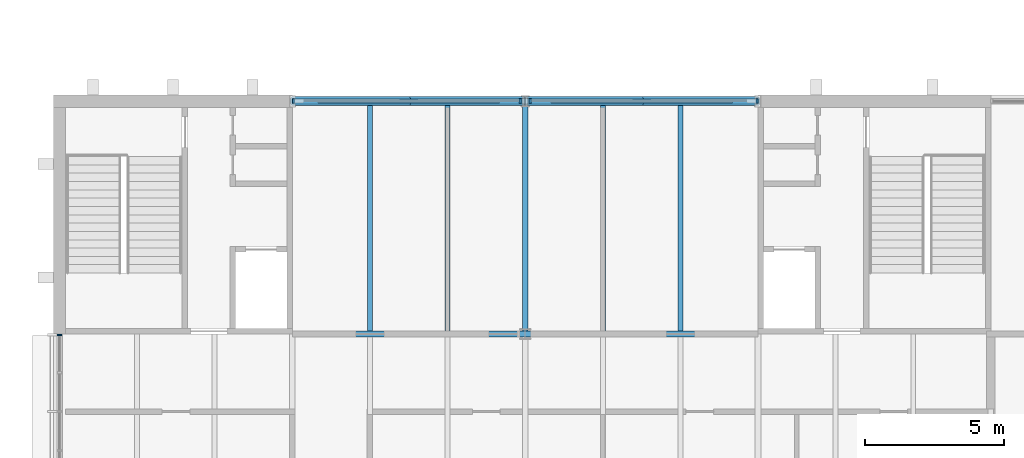
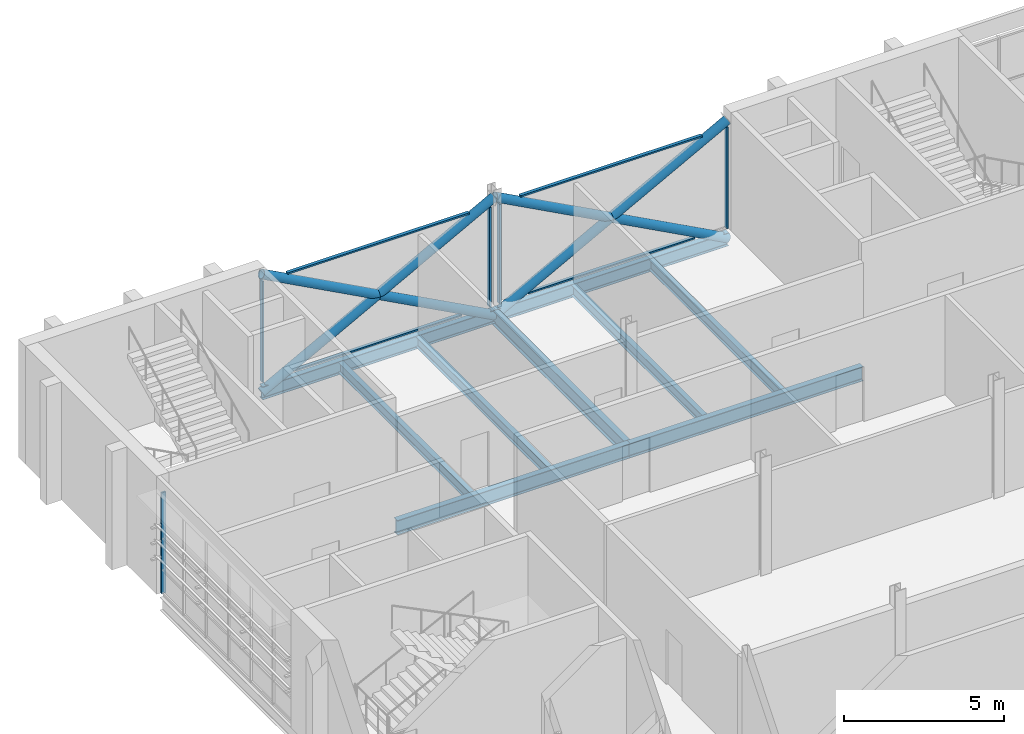
# One storey, part 47 of 129: 15 members, 9 beams, 3 elements without a shape of their own.
"""IFC4 building model written with IfcOpenShell, lengths in metres."""

from ifc_helpers import new_model, si_unit, direction, frame, origin, origin_2d, place, context, subcontext, project, spatial, rectangle, hollow_circle, i_section, extrude, material, layer, layer_set, material_profile, profile_set, type_object, element, aggregate, save


model = new_model("IFC4")

# Units and contexts
model_context = context("Model", 3, precision=1e-05, world=origin(), true_north=direction((0.0, 1.0)))
body_context = subcontext(model_context, "Body", "Model", "MODEL_VIEW")
ifc_project = project(units=[si_unit("LENGTHUNIT", "METRE"), si_unit("AREAUNIT", "SQUARE_METRE"), si_unit("VOLUMEUNIT", "CUBIC_METRE"), si_unit("PLANEANGLEUNIT", "RADIAN"), si_unit("MASSUNIT", "GRAM", prefix="KILO")], contexts=[model_context])

# Site, building, storey
site_placement = place(None, origin())
site = spatial("IfcSite", under=ifc_project, at=site_placement, CompositionType="ELEMENT")
building_placement = place(site_placement, origin())
building = spatial("IfcBuilding", under=site, at=building_placement, Name="Ardhachandra Cancer Care Centre", CompositionType="ELEMENT")
storey_placement = place(building_placement, frame((0.0, 0.0, 4.5)))
storey = spatial("IfcBuildingStorey", under=building, at=storey_placement, Name="L01", CompositionType="ELEMENT", Elevation=4.5)

# Beams
ifc_material_1 = material(Name="Steel E350 (IS 2062)", Category="steel")
ifc_material_profile_1 = material_profile(ifc_material_1, i_section(OverallWidth=0.179931640625, OverallDepth=0.39990234375, WebThickness=0.008544921875, FlangeThickness=0.013427734375, FilletRadius=0.02099609375, at=origin_2d()), Name="NPB 400x180x66.30")
ifc_profile_set_1 = profile_set([ifc_material_profile_1], Name="Steel E350 (IS 2062)")
beam_type_1 = type_object("IfcBeamType", Name="Beam NPB 400x180x66.30", PredefinedType="BEAM", material=ifc_profile_set_1)
for number, where, z_axis, x_axis, name in (
    (1, (22.0, 88.304931640625, -0.35009765625), (0.0, 1.0, 0.0), (-1.0, 0.0, 0.0), "Secondary K2-L2@2800"),
    (2, (24.800048828125, 88.304931640625, -0.35009765625), (0.0, 1.0, 0.0), (-1.0, 0.0, 0.0), "Secondary K2-L2@5600"),
    (3, (30.39990234375, 88.304931640625, -0.35009765625), (0.0, 1.0, 0.0), (-1.0, 0.0, 0.0), "Secondary K3-L3@2800"),
    (4, (33.199951171875, 88.304931640625, -0.35009765625), (0.0, 1.0, 0.0), (-1.0, 0.0, 0.0), "Secondary K3-L3@5600"),
):
    element("IfcBeam", number, at=place(storey_placement, frame(where, z_axis=z_axis, x_axis=x_axis)), inside=storey, type_object=beam_type_1, Name=name, PredefinedType="BEAM", context=body_context, shape_type="SweptSolid", body=[
        extrude(i_section(OverallWidth=0.179931640625, OverallDepth=0.39990234375, WebThickness=0.008544921875, FlangeThickness=0.013427734375, FilletRadius=0.02099609375, at=origin_2d()), origin(), (0.0, 0.0, 1.0), 8.195068359375),
    ])
ifc_material_2 = material(Name="Steel E350 (IS 2062)", Category="steel")
ifc_material_profile_2 = material_profile(ifc_material_2, i_section(OverallWidth=0.199951171875, OverallDepth=0.5, WebThickness=0.01025390625, FlangeThickness=0.01611328125, FilletRadius=0.02099609375, at=origin_2d()), Name="NPB 500x200x90.68")
ifc_profile_set_2 = profile_set([ifc_material_profile_2], Name="Steel E350 (IS 2062)")
beam_type_2 = type_object("IfcBeamType", Name="Beam NPB 500x200x90.68", PredefinedType="BEAM", material=ifc_profile_set_2)
beam_1_placement = place(storey_placement, frame((19.199951171875, 96.60009765625, -0.39990234375), z_axis=(1.0, 0.0, 0.0), x_axis=(0.0, 1.0, 0.0)))
element("IfcBeam", 5, at=beam_1_placement, inside=storey, type_object=beam_type_2, Name="Edge girder L2-L3", PredefinedType="BEAM", context=body_context, shape_type="SweptSolid", body=[
    extrude(i_section(OverallWidth=0.199951171875, OverallDepth=0.5, WebThickness=0.01025390625, FlangeThickness=0.01611328125, FilletRadius=0.02099609375, at=origin_2d()), origin(), (0.0, 0.0, 1.0), 8.400146484375),
])
beam_2_placement = place(storey_placement, frame((27.60009765625, 96.60009765625, -0.39990234375), z_axis=(1.0, 0.0, 0.0), x_axis=(0.0, 1.0, 0.0)))
element("IfcBeam", 6, at=beam_2_placement, inside=storey, type_object=beam_type_2, Name="Edge girder L3-L4", PredefinedType="BEAM", context=body_context, shape_type="SweptSolid", body=[
    extrude(i_section(OverallWidth=0.199951171875, OverallDepth=0.5, WebThickness=0.01025390625, FlangeThickness=0.01611328125, FilletRadius=0.02099609375, at=origin_2d()), origin(), (0.0, 0.0, 1.0), 8.39990234375),
])
ifc_material_3 = material(Name="Steel E350 (IS 2062)", Category="steel")
ifc_material_profile_3 = material_profile(ifc_material_3, i_section(OverallWidth=0.2099609375, OverallDepth=0.550048828125, WebThickness=0.010986328125, FlangeThickness=0.01708984375, FilletRadius=0.02392578125, at=origin_2d()), Name="NPB 550x210x105.52")
ifc_profile_set_3 = profile_set([ifc_material_profile_3], Name="Steel E350 (IS 2062)")
beam_type_3 = type_object("IfcBeamType", Name="Beam NPB 550x210x105.52", PredefinedType="BEAM", material=ifc_profile_set_3)
beam_3_placement = place(storey_placement, frame((19.199951171875, 88.199951171875, -0.425048828125), z_axis=(1.0, 0.0, 0.0), x_axis=(0.0, 1.0, 0.0)))
element("IfcBeam", 7, at=beam_3_placement, inside=storey, type_object=beam_type_3, Name="Girder K2-K3", PredefinedType="BEAM", context=body_context, shape_type="SweptSolid", body=[
    extrude(i_section(OverallWidth=0.2099609375, OverallDepth=0.550048828125, WebThickness=0.010986328125, FlangeThickness=0.01708984375, FilletRadius=0.02392578125, at=origin_2d()), origin(), (0.0, 0.0, 1.0), 8.400146484375),
])
beam_4_placement = place(storey_placement, frame((27.60009765625, 88.199951171875, -0.425048828125), z_axis=(1.0, 0.0, 0.0), x_axis=(0.0, 1.0, 0.0)))
element("IfcBeam", 8, at=beam_4_placement, inside=storey, type_object=beam_type_3, Name="Girder K3-K4", PredefinedType="BEAM", context=body_context, shape_type="SweptSolid", body=[
    extrude(i_section(OverallWidth=0.2099609375, OverallDepth=0.550048828125, WebThickness=0.010986328125, FlangeThickness=0.01708984375, FilletRadius=0.02392578125, at=origin_2d()), origin(), (0.0, 0.0, 1.0), 8.39990234375),
])
beam_5_placement = place(storey_placement, frame((27.60009765625, 88.199951171875, -0.425048828125), z_axis=(0.0, 1.0, 0.0), x_axis=(-1.0, 0.0, 0.0)))
element("IfcBeam", 9, at=beam_5_placement, inside=storey, type_object=beam_type_3, Name="Girder K3-L3", PredefinedType="BEAM", context=body_context, shape_type="SweptSolid", body=[
    extrude(i_section(OverallWidth=0.2099609375, OverallDepth=0.550048828125, WebThickness=0.010986328125, FlangeThickness=0.01708984375, FilletRadius=0.02392578125, at=origin_2d()), origin(), (0.0, 0.0, 1.0), 8.400146484375),
])

# Members
ifc_material_4 = material(Name="Steel E350 (IS 2062)", Category="steel")
ifc_material_profile_4 = material_profile(ifc_material_4, hollow_circle(Radius=0.161865234375, WallThickness=0.012451171875, at=origin_2d()), Name="CHS 323.9x12.5")
ifc_profile_set_4 = profile_set([ifc_material_profile_4], Name="Steel E350 (IS 2062)")
member_type_1 = type_object("IfcMemberType", Name="Brace CHS 323.9x12.5", PredefinedType="BRACE", material=ifc_profile_set_4)
member_1_placement = place(storey_placement, frame((19.199951171875, 96.60009765625, -0.39990234375), z_axis=(0.881483397762, 0.0, 0.472215014025), x_axis=(0.0, 1.0, 0.0)))
element("IfcMember", 10, at=member_1_placement, inside=storey, type_object=member_type_1, Name="Brace V6-X966-192 L01 A", PredefinedType="BRACE", context=body_context, shape_type="SweptSolid", body=[
    extrude(hollow_circle(Radius=0.161865234375, WallThickness=0.012451171875, at=origin_2d()), origin(), (0.0, 0.0, 1.0), 9.529541015625),
])
member_2_placement = place(storey_placement, frame((27.60009765625, 96.60009765625, -0.39990234375), z_axis=(-0.881489110341, 0.0, 0.472204350203), x_axis=(0.0, -1.0, 0.0)))
element("IfcMember", 11, at=member_2_placement, inside=storey, type_object=member_type_1, Name="Brace V6-X966-192 L01 B1", PredefinedType="BRACE", context=body_context, shape_type="SweptSolid", body=[
    extrude(hollow_circle(Radius=0.161865234375, WallThickness=0.012451171875, at=origin_2d()), origin(), (0.0, 0.0, 1.0), 4.764892578125),
])
member_3_placement = place(storey_placement, frame((23.39990234375, 96.60009765625, 1.85009765625), z_axis=(-0.881477684796, 0.0, 0.472225678258), x_axis=(0.0, -1.0, 0.0)))
element("IfcMember", 12, at=member_3_placement, inside=storey, type_object=member_type_1, Name="Brace V6-X966-192 L01 B2", PredefinedType="BRACE", context=body_context, shape_type="SweptSolid", body=[
    extrude(hollow_circle(Radius=0.161865234375, WallThickness=0.012451171875, at=origin_2d()), origin(), (0.0, 0.0, 1.0), 4.7646484375),
])
member_4_placement = place(storey_placement, frame((27.60009765625, 96.60009765625, -0.39990234375), z_axis=(0.881477684796, 0.0, 0.472225678258), x_axis=(0.0, 1.0, 0.0)))
element("IfcMember", 13, at=member_4_placement, inside=storey, type_object=member_type_1, Name="Brace V6-X966-276 L01 A", PredefinedType="BRACE", context=body_context, shape_type="SweptSolid", body=[
    extrude(hollow_circle(Radius=0.161865234375, WallThickness=0.012451171875, at=origin_2d()), origin(), (0.0, 0.0, 1.0), 9.529296875),
])
for number, where, z_axis, x_axis, name in (
    (14, (36.0, 96.60009765625, -0.39990234375), (-0.881477684796, 0.0, 0.472225678258), (0.0, -1.0, 0.0), "Brace V6-X966-276 L01 B1"),
    (15, (31.800048828125, 96.60009765625, 1.85009765625), (-0.881477684796, 0.0, 0.472225678258), (0.0, -1.0, 0.0), "Brace V6-X966-276 L01 B2"),
):
    element("IfcMember", number, at=place(storey_placement, frame(where, z_axis=z_axis, x_axis=x_axis)), inside=storey, type_object=member_type_1, Name=name, PredefinedType="BRACE", context=body_context, shape_type="SweptSolid", body=[
        extrude(hollow_circle(Radius=0.161865234375, WallThickness=0.012451171875, at=origin_2d()), origin(), (0.0, 0.0, 1.0), 4.7646484375),
    ])

# Curtain wall, members
ifc_material_5 = material(Name="Aluminium extrusion", Category="aluminium")
ifc_layer = layer(ifc_material_5, 0.14990234375)
ifc_layer_set = layer_set([ifc_layer], Name="Aluminium extrusion")
curtain_wall_type = type_object("IfcCurtainWallType", Name="Curtain wall run", PredefinedType="NOTDEFINED", material=ifc_layer_set)
curtain_wall_1_placement = place(storey_placement, origin())
curtain_wall_1 = element("IfcCurtainWall", 16, at=curtain_wall_1_placement, inside=storey, type_object=curtain_wall_type, Name="Curtain wall L01 n/0019200_0096600", PredefinedType="NOTDEFINED")
ifc_material_6 = material(Name="Aluminium extrusion", Category="aluminium")
ifc_material_profile_5 = material_profile(ifc_material_6, rectangle(XDim=0.159912109375, YDim=0.06005859375, at=origin_2d()), Name="Curtain wall mullion 60 x 160")
ifc_profile_set_5 = profile_set([ifc_material_profile_5], Name="Aluminium extrusion")
member_type_2 = type_object("IfcMemberType", Name="Curtain wall mullion 60 x 160", PredefinedType="MULLION", material=ifc_profile_set_5)
member_5_placement = place(storey_placement, frame((19.22998046875, 96.60009765625, 0.0), z_axis=(0.0, 0.0, 1.0), x_axis=(0.0, 1.0, 0.0)))
member_5 = element("IfcMember", 17, at=member_5_placement, type_object=member_type_2, Name="CW mullion 1", PredefinedType="MULLION", context=body_context, shape_type="SweptSolid", body=[
    extrude(rectangle(XDim=0.159912109375, YDim=0.06005859375, at=origin_2d()), origin(), (0.0, 0.0, 1.0), 3.85009765625),
])
member_6_placement = place(storey_placement, frame((27.419921875, 96.60009765625, 0.0), z_axis=(0.0, 0.0, 1.0), x_axis=(0.0, 1.0, 0.0)))
member_6 = element("IfcMember", 18, at=member_6_placement, type_object=member_type_2, Name="CW mullion 2", PredefinedType="MULLION", context=body_context, shape_type="SweptSolid", body=[
    extrude(rectangle(XDim=0.159912109375, YDim=0.06005859375, at=origin_2d()), origin(), (0.0, 0.0, 1.0), 3.8017578125),
])

curtain_wall_2_placement = place(storey_placement, origin())
curtain_wall_2 = element("IfcCurtainWall", 19, at=curtain_wall_2_placement, inside=storey, type_object=curtain_wall_type, Name="Curtain wall L01 n/0027600_0096600", PredefinedType="NOTDEFINED")
member_7_placement = place(storey_placement, frame((27.780029296875, 96.60009765625, 0.0), z_axis=(0.0, 0.0, 1.0), x_axis=(0.0, 1.0, 0.0)))
member_7 = element("IfcMember", 20, at=member_7_placement, type_object=member_type_2, Name="CW mullion 1", PredefinedType="MULLION", context=body_context, shape_type="SweptSolid", body=[
    extrude(rectangle(XDim=0.159912109375, YDim=0.06005859375, at=origin_2d()), origin(), (0.0, 0.0, 1.0), 3.8017578125),
])
member_8_placement = place(storey_placement, frame((35.969970703125, 96.60009765625, 0.0), z_axis=(0.0, 0.0, 1.0), x_axis=(0.0, 1.0, 0.0)))
member_8 = element("IfcMember", 21, at=member_8_placement, type_object=member_type_2, Name="CW mullion 2", PredefinedType="MULLION", context=body_context, shape_type="SweptSolid", body=[
    extrude(rectangle(XDim=0.159912109375, YDim=0.06005859375, at=origin_2d()), origin(), (0.0, 0.0, 1.0), 3.85009765625),
])

# Curtain wall, member
curtain_wall_3_placement = place(storey_placement, origin())
curtain_wall_3 = element("IfcCurtainWall", 22, at=curtain_wall_3_placement, inside=storey, type_object=curtain_wall_type, Name="Curtain wall L01 w/0010800_0079800", PredefinedType="NOTDEFINED")
member_9_placement = place(storey_placement, frame((10.800048828125, 88.169921875, 0.0), z_axis=(0.0, 0.0, 1.0), x_axis=(-1.0, 0.0, 0.0)))
member_9 = element("IfcMember", 23, at=member_9_placement, type_object=member_type_2, Name="CW mullion 7", PredefinedType="MULLION", context=body_context, shape_type="SweptSolid", body=[
    extrude(rectangle(XDim=0.159912109375, YDim=0.06005859375, at=origin_2d()), origin(), (0.0, 0.0, 1.0), 3.85009765625),
])
aggregate(curtain_wall_3, [member_9])

# Member
ifc_material_7 = material(Name="Aluminium extrusion", Category="aluminium")
ifc_material_profile_6 = material_profile(ifc_material_7, rectangle(XDim=0.1201171875, YDim=0.06005859375, at=origin_2d()), Name="Curtain wall transom 60 x 120")
ifc_profile_set_6 = profile_set([ifc_material_profile_6], Name="Aluminium extrusion")
member_type_3 = type_object("IfcMemberType", Name="Curtain wall transom 60 x 120", PredefinedType="USERDEFINED", material=ifc_profile_set_6)
member_10_placement = place(storey_placement, frame((20.40478515625, 96.60009765625, 0.030029296875), z_axis=(1.0, 0.0, 0.0), x_axis=(0.0, 1.0, 0.0)))
member_10 = element("IfcMember", 24, at=member_10_placement, type_object=member_type_3, Name="CW transom 1.1", ObjectType="TRANSOM", PredefinedType="USERDEFINED", context=body_context, shape_type="SweptSolid", body=[
    extrude(rectangle(XDim=0.1201171875, YDim=0.06005859375, at=origin_2d()), origin(), (0.0, 0.0, 1.0), 5.991455078125),
])

member_11_placement = place(storey_placement, frame((20.123779296875, 96.60009765625, 3.820068359375), z_axis=(1.0, 0.0, 0.0), x_axis=(0.0, 1.0, 0.0)))
member_11 = element("IfcMember", 25, at=member_11_placement, type_object=member_type_3, Name="CW transom 1.2", ObjectType="TRANSOM", PredefinedType="USERDEFINED", context=body_context, shape_type="SweptSolid", body=[
    extrude(rectangle(XDim=0.1201171875, YDim=0.06005859375, at=origin_2d()), origin(), (0.0, 0.0, 1.0), 6.552490234375),
])

aggregate(curtain_wall_1, [member_5, member_6, member_10, member_11])

member_12_placement = place(storey_placement, frame((28.8046875, 96.60009765625, 0.030029296875), z_axis=(1.0, 0.0, 0.0), x_axis=(0.0, 1.0, 0.0)))
member_12 = element("IfcMember", 26, at=member_12_placement, type_object=member_type_3, Name="CW transom 1.1", ObjectType="TRANSOM", PredefinedType="USERDEFINED", context=body_context, shape_type="SweptSolid", body=[
    extrude(rectangle(XDim=0.1201171875, YDim=0.06005859375, at=origin_2d()), origin(), (0.0, 0.0, 1.0), 5.991455078125),
])

member_13_placement = place(storey_placement, frame((28.523681640625, 96.60009765625, 3.820068359375), z_axis=(1.0, 0.0, 0.0), x_axis=(0.0, 1.0, 0.0)))
member_13 = element("IfcMember", 27, at=member_13_placement, type_object=member_type_3, Name="CW transom 1.2", ObjectType="TRANSOM", PredefinedType="USERDEFINED", context=body_context, shape_type="SweptSolid", body=[
    extrude(rectangle(XDim=0.1201171875, YDim=0.06005859375, at=origin_2d()), origin(), (0.0, 0.0, 1.0), 6.552490234375),
])

aggregate(curtain_wall_2, [member_7, member_8, member_12, member_13])

save(model, "model.ifc")
